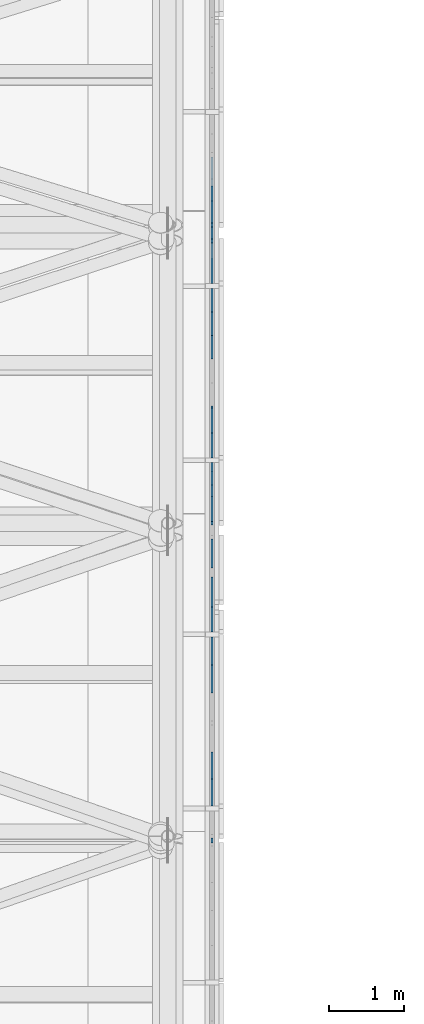
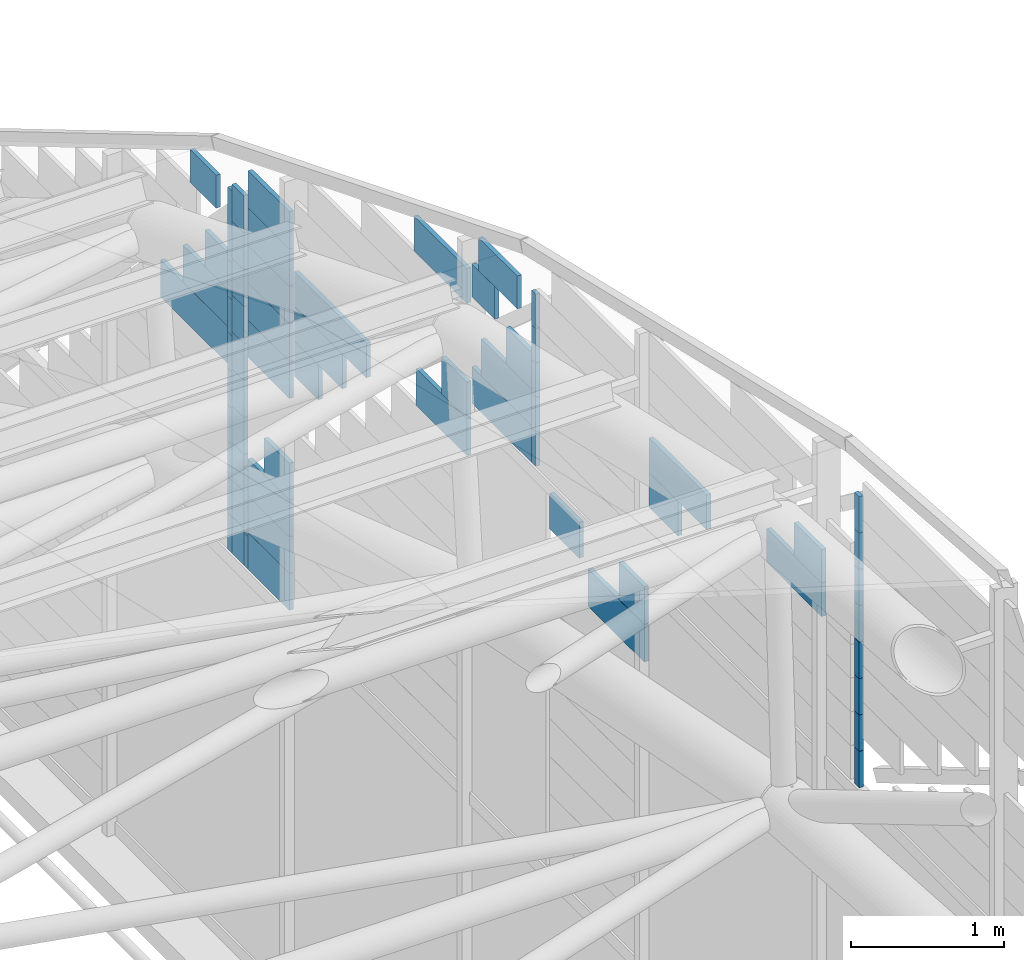
# One storey, part 79 of 110: 67 plates, 1 element without a shape of its own.
"""IFC4 building model written with IfcOpenShell, lengths in metres."""

from ifc_helpers import new_model, si_unit, direction, frame, origin, place, context, subcontext, project, spatial, polyline, outline, extrude, material, layer, layer_set, type_object, element, aggregate, save


model = new_model("IFC4")

# Units and contexts
model_context = context("Model", 3, precision=1e-05, world=origin(), true_north=direction((0.0, 1.0)))
body_context = subcontext(model_context, "Body", "Model", "MODEL_VIEW")
ifc_project = project(units=[si_unit("LENGTHUNIT", "METRE"), si_unit("AREAUNIT", "SQUARE_METRE"), si_unit("VOLUMEUNIT", "CUBIC_METRE"), si_unit("PLANEANGLEUNIT", "RADIAN"), si_unit("MASSUNIT", "GRAM", prefix="KILO")], contexts=[model_context])

# Site, building, storey
site_placement = place(None, origin())
site = spatial("IfcSite", under=ifc_project, at=site_placement, CompositionType="ELEMENT")
building_placement = place(site_placement, origin())
building = spatial("IfcBuilding", under=site, at=building_placement, Name="Windward Yard Aquatics Centre", CompositionType="ELEMENT")
storey_placement = place(building_placement, frame((0.0, 0.0, 22.60009765625)))
storey = spatial("IfcBuildingStorey", under=building, at=storey_placement, Name="L05", CompositionType="ELEMENT", Elevation=22.60009765625)

# Curtain wall, plates
ifc_material_1 = material(Name="Glass and aluminium curtain wall", Category="aluminium")
ifc_layer_1 = layer(ifc_material_1, 0.179931640625)
ifc_layer_set_1 = layer_set([ifc_layer_1], Name="H gable glazing system double glazed 8+16+8")
curtain_wall_type = type_object("IfcCurtainWallType", Name="H gable glazing system double glazed 8+16+8", PredefinedType="NOTDEFINED", material=ifc_layer_set_1)
curtain_wall_placement = place(storey_placement, origin())
curtain_wall = element("IfcCurtainWall", 1, at=curtain_wall_placement, inside=storey, type_object=curtain_wall_type, Name="Gable glazing E", PredefinedType="NOTDEFINED")
ifc_material_2 = material(Name="Low-iron glass", Category="glass")
ifc_layer_2 = layer(ifc_material_2, 0.008, Name="Outer pane")
ifc_material_3 = material(Name="Argon-filled cavity")
ifc_layer_3 = layer(ifc_material_3, 0.016, Name="Cavity")
ifc_layer_4 = layer(ifc_material_2, 0.008, Name="Inner pane")
ifc_layer_set_2 = layer_set([ifc_layer_2, ifc_layer_3, ifc_layer_4], Name="H gable glass low-e double glazed unit 32")
plate_type = type_object("IfcPlateType", Name="H gable glass low-e double glazed unit 32", PredefinedType="CURTAIN_PANEL", material=ifc_layer_set_2)
plate_1_placement = place(storey_placement, frame((144.60595703125, 65.180908203125, 6.25), z_axis=(1.0, 0.0, 0.0), x_axis=(0.0, 1.0, 0.0)))
plate_1 = element("IfcPlate", 2, at=plate_1_placement, type_object=plate_type, Name="Gable panel 11.3h", PredefinedType="CURTAIN_PANEL", context=body_context, shape_type="SweptSolid", body=[
    extrude(outline(polyline([(0.0, 0.0), (0.063721, 0.0), (0.063721, 0.290039), (0.0, 0.290039), (0.0, 0.0)])), origin(), (0.0, 0.0, -1.0), 0.031982421875),
])
plate_2_placement = place(storey_placement, frame((144.60595703125, 65.180908203125, 6.54052734375), z_axis=(1.0, 0.0, 0.0), x_axis=(0.0, 1.0, 0.0)))
plate_2 = element("IfcPlate", 3, at=plate_2_placement, type_object=plate_type, Name="Gable panel 11.3i", PredefinedType="CURTAIN_PANEL", context=body_context, shape_type="SweptSolid", body=[
    extrude(outline(polyline([(0.0, 0.0), (0.063721, 0.0), (0.063721, 0.289795), (0.0, 0.289795), (0.0, 0.0)])), origin(), (0.0, 0.0, -1.0), 0.031982421875),
])
plate_3_placement = place(storey_placement, frame((144.60595703125, 65.180908203125, 6.830810546875), z_axis=(1.0, 0.0, 0.0), x_axis=(0.0, 1.0, 0.0)))
plate_3 = element("IfcPlate", 4, at=plate_3_placement, type_object=plate_type, Name="Gable panel 11.3j", PredefinedType="CURTAIN_PANEL", context=body_context, shape_type="SweptSolid", body=[
    extrude(outline(polyline([(0.0, 0.0), (0.063721, 0.0), (0.063721, 0.289795), (0.0, 0.289795), (0.0, 0.0)])), origin(), (0.0, 0.0, -1.0), 0.031982421875),
])
plate_4_placement = place(storey_placement, frame((144.60595703125, 65.180908203125, 7.12109375), z_axis=(1.0, 0.0, 0.0), x_axis=(0.0, 1.0, 0.0)))
plate_4 = element("IfcPlate", 5, at=plate_4_placement, type_object=plate_type, Name="Gable panel 11.3k", PredefinedType="CURTAIN_PANEL", context=body_context, shape_type="SweptSolid", body=[
    extrude(outline(polyline([(0.0, 0.0), (0.063721, 0.0), (0.063721, 0.289795), (0.0, 0.289795), (0.0, 0.0)])), origin(), (0.0, 0.0, -1.0), 0.031982421875),
])
plate_5_placement = place(storey_placement, frame((144.60595703125, 65.180908203125, 7.411376953125), z_axis=(1.0, 0.0, 0.0), x_axis=(0.0, 1.0, 0.0)))
plate_5 = element("IfcPlate", 6, at=plate_5_placement, type_object=plate_type, Name="Gable panel 11.3l", PredefinedType="CURTAIN_PANEL", context=body_context, shape_type="SweptSolid", body=[
    extrude(outline(polyline([(0.0, 0.0), (0.063721, 0.0), (0.063721, 0.289795), (0.0, 0.289795), (0.0, 0.0)])), origin(), (0.0, 0.0, -1.0), 0.031982421875),
])
plate_6_placement = place(storey_placement, frame((144.60595703125, 65.180908203125, 7.70166015625), z_axis=(1.0, 0.0, 0.0), x_axis=(0.0, 1.0, 0.0)))
plate_6 = element("IfcPlate", 7, at=plate_6_placement, type_object=plate_type, Name="Gable panel 11.3m", PredefinedType="CURTAIN_PANEL", context=body_context, shape_type="SweptSolid", body=[
    extrude(outline(polyline([(0.0, 0.0), (0.063721, 0.0), (0.063721, 0.289795), (0.0, 0.289795), (0.0, 0.0)])), origin(), (0.0, 0.0, -1.0), 0.031982421875),
])
plate_7_placement = place(storey_placement, frame((144.60595703125, 65.180908203125, 7.991943359375), z_axis=(1.0, 0.0, 0.0), x_axis=(0.0, 1.0, 0.0)))
plate_7 = element("IfcPlate", 8, at=plate_7_placement, type_object=plate_type, Name="Gable panel 11.3n", PredefinedType="CURTAIN_PANEL", context=body_context, shape_type="SweptSolid", body=[
    extrude(outline(polyline([(0.0, 0.0), (0.063721, 0.0), (0.063721, 0.289795), (0.0, 0.289795), (0.0, 0.0)])), origin(), (0.0, 0.0, -1.0), 0.031982421875),
])
plate_8_placement = place(storey_placement, frame((144.60595703125, 65.180908203125, 8.2822265625), z_axis=(1.0, 0.0, 0.0), x_axis=(0.0, 1.0, 0.0)))
plate_8 = element("IfcPlate", 9, at=plate_8_placement, type_object=plate_type, Name="Gable panel 11.3o", PredefinedType="CURTAIN_PANEL", context=body_context, shape_type="SweptSolid", body=[
    extrude(outline(polyline([(0.0, 0.0), (0.063721, 0.0), (0.063721, 0.290039), (0.0, 0.290039), (0.0, 0.0)])), origin(), (0.0, 0.0, -1.0), 0.031982421875),
])
plate_9_placement = place(storey_placement, frame((144.60595703125, 65.6708984375, 7.319091796875), z_axis=(1.0, 0.0, 0.0), x_axis=(0.0, 1.0, 0.0)))
plate_9 = element("IfcPlate", 10, at=plate_9_placement, type_object=plate_type, Name="Gable panel 12.3e", PredefinedType="CURTAIN_PANEL", context=body_context, shape_type="SweptSolid", body=[
    extrude(outline(polyline([(0.0, 0.0), (0.718994, 0.0), (0.718994, 0.266846), (0.0, 0.266846), (0.0, 0.0)])), origin(), (0.0, 0.0, -1.0), 0.031982421875),
])
plate_10_placement = place(storey_placement, frame((144.60595703125, 65.6708984375, 7.58642578125), z_axis=(1.0, 0.0, 0.0), x_axis=(0.0, 1.0, 0.0)))
plate_10 = element("IfcPlate", 11, at=plate_10_placement, type_object=plate_type, Name="Gable panel 12.3f", PredefinedType="CURTAIN_PANEL", context=body_context, shape_type="SweptSolid", body=[
    extrude(outline(polyline([(0.0, 0.0), (0.359619, 0.0), (0.359619, 0.266846), (0.0, 0.266846), (0.0, 0.0)])), origin(), (0.0, 0.0, -1.0), 0.031982421875),
])
plate_11_placement = place(storey_placement, frame((144.60595703125, 67.550537109375, 6.822509765625), z_axis=(1.0, 0.0, 0.0), x_axis=(0.0, 1.0, 0.0)))
plate_11 = element("IfcPlate", 12, at=plate_11_placement, type_object=plate_type, Name="Gable panel 12.3g", PredefinedType="CURTAIN_PANEL", context=body_context, shape_type="SweptSolid", body=[
    extrude(outline(polyline([(0.0, 0.0), (0.374756, 0.0), (0.374756, 0.277832), (0.0, 0.277832), (0.0, 0.0)])), origin(), (0.0, 0.0, -1.0), 0.031982421875),
])
plate_12_placement = place(storey_placement, frame((144.60595703125, 67.17626953125, 7.100830078125), z_axis=(1.0, 0.0, 0.0), x_axis=(0.0, 1.0, 0.0)))
plate_12 = element("IfcPlate", 13, at=plate_12_placement, type_object=plate_type, Name="Gable panel 12.3h", PredefinedType="CURTAIN_PANEL", context=body_context, shape_type="SweptSolid", body=[
    extrude(outline(polyline([(0.0, 0.0), (0.749023, 0.0), (0.749023, 0.278076), (0.0, 0.278076), (0.0, 0.0)])), origin(), (0.0, 0.0, -1.0), 0.031982421875),
])
plate_13_placement = place(storey_placement, frame((144.60595703125, 67.990234375, 5.550048828125), z_axis=(1.0, 0.0, 0.0), x_axis=(0.0, 1.0, 0.0)))
plate_13 = element("IfcPlate", 14, at=plate_13_placement, type_object=plate_type, Name="Gable panel 13.2j", PredefinedType="CURTAIN_PANEL", context=body_context, shape_type="SweptSolid", body=[
    extrude(outline(polyline([(0.0, 0.0), (0.734131, 0.0), (0.734131, 0.299561), (0.0, 0.299561), (0.0, 0.0)])), origin(), (0.0, 0.0, -1.0), 0.031982421875),
])
plate_14_placement = place(storey_placement, frame((144.60595703125, 67.990234375, 5.85009765625), z_axis=(1.0, 0.0, 0.0), x_axis=(0.0, 1.0, 0.0)))
plate_14 = element("IfcPlate", 15, at=plate_14_placement, type_object=plate_type, Name="Gable panel 13.2k", PredefinedType="CURTAIN_PANEL", context=body_context, shape_type="SweptSolid", body=[
    extrude(outline(polyline([(0.0, 0.0), (0.330566, 0.0), (0.330566, 0.299805), (0.0, 0.299805), (0.0, 0.0)])), origin(), (0.0, 0.0, -1.0), 0.031982421875),
])
plate_15_placement = place(storey_placement, frame((144.60595703125, 68.840087890625, 5.86328125), z_axis=(1.0, 0.0, 0.0), x_axis=(0.0, 1.0, 0.0)))
plate_15 = element("IfcPlate", 16, at=plate_15_placement, type_object=plate_type, Name="Gable panel 13.2l", PredefinedType="CURTAIN_PANEL", context=body_context, shape_type="SweptSolid", body=[
    extrude(outline(polyline([(0.0, 0.0), (0.385742, 0.0), (0.385742, 0.286621), (0.0, 0.286621), (0.0, 0.0)])), origin(), (0.0, 0.0, -1.0), 0.031982421875),
])
plate_16_placement = place(storey_placement, frame((144.60595703125, 69.4638671875, 6.25), z_axis=(1.0, 0.0, 0.0), x_axis=(0.0, 1.0, 0.0)))
plate_16 = element("IfcPlate", 17, at=plate_16_placement, type_object=plate_type, Name="Gable panel 13.3a", PredefinedType="CURTAIN_PANEL", context=body_context, shape_type="SweptSolid", body=[
    extrude(outline(polyline([(0.0, 0.0), (0.780518, 0.0), (0.780518, 0.292236), (0.0, 0.292236), (0.0, 0.0)])), origin(), (0.0, 0.0, -1.0), 0.031982421875),
])
plate_17_placement = place(storey_placement, frame((144.60595703125, 69.4638671875, 6.542724609375), z_axis=(1.0, 0.0, 0.0), x_axis=(0.0, 1.0, 0.0)))
plate_17 = element("IfcPlate", 18, at=plate_17_placement, type_object=plate_type, Name="Gable panel 13.3b", PredefinedType="CURTAIN_PANEL", context=body_context, shape_type="SweptSolid", body=[
    extrude(outline(polyline([(0.0, 0.0), (0.660889, 0.0), (0.660889, 0.291992), (0.0, 0.291992), (0.0, 0.0)])), origin(), (0.0, 0.0, -1.0), 0.031982421875),
])
plate_18_placement = place(storey_placement, frame((144.60595703125, 69.4638671875, 6.835205078125), z_axis=(1.0, 0.0, 0.0), x_axis=(0.0, 1.0, 0.0)))
plate_18 = element("IfcPlate", 19, at=plate_18_placement, type_object=plate_type, Name="Gable panel 13.3c", PredefinedType="CURTAIN_PANEL", context=body_context, shape_type="SweptSolid", body=[
    extrude(outline(polyline([(0.0, 0.0), (0.330566, 0.0), (0.330566, 0.291992), (0.0, 0.291992), (0.0, 0.0)])), origin(), (0.0, 0.0, -1.0), 0.031982421875),
])
plate_19_placement = place(storey_placement, frame((144.60595703125, 69.410888671875, 6.25), z_axis=(1.0, 0.0, 0.0), x_axis=(0.0, 1.0, 0.0)))
plate_19 = element("IfcPlate", 20, at=plate_19_placement, type_object=plate_type, Name="Gable panel 13.3d", PredefinedType="CURTAIN_PANEL", context=body_context, shape_type="SweptSolid", body=[
    extrude(outline(polyline([(0.0, 0.0), (0.052979, 0.0), (0.052979, 0.274414), (0.0, 0.274414), (0.0, 0.0)])), origin(), (0.0, 0.0, -1.0), 0.031982421875),
])
plate_20_placement = place(storey_placement, frame((144.60595703125, 69.410888671875, 6.52490234375), z_axis=(1.0, 0.0, 0.0), x_axis=(0.0, 1.0, 0.0)))
plate_20 = element("IfcPlate", 21, at=plate_20_placement, type_object=plate_type, Name="Gable panel 13.3e", PredefinedType="CURTAIN_PANEL", context=body_context, shape_type="SweptSolid", body=[
    extrude(outline(polyline([(0.0, 0.0), (0.052979, 0.0), (0.052979, 0.274414), (0.0, 0.274414), (0.0, 0.0)])), origin(), (0.0, 0.0, -1.0), 0.031982421875),
])
plate_21_placement = place(storey_placement, frame((144.60595703125, 69.410888671875, 6.799560546875), z_axis=(1.0, 0.0, 0.0), x_axis=(0.0, 1.0, 0.0)))
plate_21 = element("IfcPlate", 22, at=plate_21_placement, type_object=plate_type, Name="Gable panel 13.3f", PredefinedType="CURTAIN_PANEL", context=body_context, shape_type="SweptSolid", body=[
    extrude(outline(polyline([(0.0, 0.0), (0.052979, 0.0), (0.052979, 0.274414), (0.0, 0.274414), (0.0, 0.0)])), origin(), (0.0, 0.0, -1.0), 0.031982421875),
])
plate_22_placement = place(storey_placement, frame((144.60595703125, 69.410888671875, 7.074462890625), z_axis=(1.0, 0.0, 0.0), x_axis=(0.0, 1.0, 0.0)))
plate_22 = element("IfcPlate", 23, at=plate_22_placement, type_object=plate_type, Name="Gable panel 13.3g", PredefinedType="CURTAIN_PANEL", context=body_context, shape_type="SweptSolid", body=[
    extrude(outline(polyline([(0.0, 0.0), (0.052979, 0.0), (0.052979, 0.27417), (0.0, 0.27417), (0.0, 0.0)])), origin(), (0.0, 0.0, -1.0), 0.031982421875),
])
plate_23_placement = place(storey_placement, frame((144.60595703125, 69.410888671875, 7.34912109375), z_axis=(1.0, 0.0, 0.0), x_axis=(0.0, 1.0, 0.0)))
plate_23 = element("IfcPlate", 24, at=plate_23_placement, type_object=plate_type, Name="Gable panel 13.3h", PredefinedType="CURTAIN_PANEL", context=body_context, shape_type="SweptSolid", body=[
    extrude(outline(polyline([(0.0, 0.0), (0.052979, 0.0), (0.052979, 0.274414), (0.0, 0.274414), (0.0, 0.0)])), origin(), (0.0, 0.0, -1.0), 0.031982421875),
])
plate_24_placement = place(storey_placement, frame((144.60595703125, 69.94775390625, 7.098388671875), z_axis=(1.0, 0.0, 0.0), x_axis=(0.0, 1.0, 0.0)))
plate_24 = element("IfcPlate", 25, at=plate_24_placement, type_object=plate_type, Name="Gable panel 13.3i", PredefinedType="CURTAIN_PANEL", context=body_context, shape_type="SweptSolid", body=[
    extrude(outline(polyline([(0.0, 0.0), (0.296631, 0.0), (0.296631, 0.262207), (0.0, 0.262207), (0.0, 0.0)])), origin(), (0.0, 0.0, -1.0), 0.031982421875),
])
plate_25_placement = place(storey_placement, frame((144.60595703125, 69.651123046875, 7.36083984375), z_axis=(1.0, 0.0, 0.0), x_axis=(0.0, 1.0, 0.0)))
plate_25 = element("IfcPlate", 26, at=plate_25_placement, type_object=plate_type, Name="Gable panel 13.3j", PredefinedType="CURTAIN_PANEL", context=body_context, shape_type="SweptSolid", body=[
    extrude(outline(polyline([(0.0, 0.0), (0.504395, 0.0), (0.504395, 0.262451), (0.0, 0.262451), (0.0, 0.0)])), origin(), (0.0, 0.0, -1.0), 0.031982421875),
])
plate_26_placement = place(storey_placement, frame((144.60595703125, 70.309326171875, 5.791015625), z_axis=(1.0, 0.0, 0.0), x_axis=(0.0, 1.0, 0.0)))
plate_26 = element("IfcPlate", 27, at=plate_26_placement, type_object=plate_type, Name="Gable panel 14.2j", PredefinedType="CURTAIN_PANEL", context=body_context, shape_type="SweptSolid", body=[
    extrude(outline(polyline([(0.0, 0.0), (0.662842, 0.0), (0.662842, 0.292969), (0.0, 0.292969), (0.0, 0.0)])), origin(), (0.0, 0.0, -1.0), 0.031982421875),
])
plate_27_placement = place(storey_placement, frame((144.60595703125, 70.309326171875, 6.08447265625), z_axis=(1.0, 0.0, 0.0), x_axis=(0.0, 1.0, 0.0)))
plate_27 = element("IfcPlate", 28, at=plate_27_placement, type_object=plate_type, Name="Gable panel 14.2k", PredefinedType="CURTAIN_PANEL", context=body_context, shape_type="SweptSolid", body=[
    extrude(outline(polyline([(0.0, 0.0), (0.331543, 0.0), (0.331543, 0.292969), (0.0, 0.292969), (0.0, 0.0)])), origin(), (0.0, 0.0, -1.0), 0.031982421875),
])
plate_28_placement = place(storey_placement, frame((144.60595703125, 72.24951171875, 5.059326171875), z_axis=(1.0, 0.0, 0.0), x_axis=(0.0, 1.0, 0.0)))
plate_28 = element("IfcPlate", 29, at=plate_28_placement, type_object=plate_type, Name="Gable panel 14.2l", PredefinedType="CURTAIN_PANEL", context=body_context, shape_type="SweptSolid", body=[
    extrude(outline(polyline([(0.0, 0.0), (0.314209, 0.0), (0.314209, 0.277588), (0.0, 0.277588), (0.0, 0.0)])), origin(), (0.0, 0.0, -1.0), 0.031982421875),
])
plate_29_placement = place(storey_placement, frame((144.60595703125, 71.935791015625, 5.33740234375), z_axis=(1.0, 0.0, 0.0), x_axis=(0.0, 1.0, 0.0)))
plate_29 = element("IfcPlate", 30, at=plate_29_placement, type_object=plate_type, Name="Gable panel 14.2m", PredefinedType="CURTAIN_PANEL", context=body_context, shape_type="SweptSolid", body=[
    extrude(outline(polyline([(0.0, 0.0), (0.62793, 0.0), (0.62793, 0.277588), (0.0, 0.277588), (0.0, 0.0)])), origin(), (0.0, 0.0, -1.0), 0.031982421875),
])
plate_30_placement = place(storey_placement, frame((144.60595703125, 71.621826171875, 5.615478515625), z_axis=(1.0, 0.0, 0.0), x_axis=(0.0, 1.0, 0.0)))
plate_30 = element("IfcPlate", 31, at=plate_30_placement, type_object=plate_type, Name="Gable panel 14.2n", PredefinedType="CURTAIN_PANEL", context=body_context, shape_type="SweptSolid", body=[
    extrude(outline(polyline([(0.0, 0.0), (0.941895, 0.0), (0.941895, 0.277588), (0.0, 0.277588), (0.0, 0.0)])), origin(), (0.0, 0.0, -1.0), 0.031982421875),
])
plate_31_placement = place(storey_placement, frame((144.60595703125, 70.309326171875, 7.005615234375), z_axis=(1.0, 0.0, 0.0), x_axis=(0.0, 1.0, 0.0)))
plate_31 = element("IfcPlate", 32, at=plate_31_placement, type_object=plate_type, Name="Gable panel 14.2s", PredefinedType="CURTAIN_PANEL", context=body_context, shape_type="SweptSolid", body=[
    extrude(outline(polyline([(0.0, 0.0), (0.692383, 0.0), (0.692383, 0.277588), (0.0, 0.277588), (0.0, 0.0)])), origin(), (0.0, 0.0, -1.0), 0.031982421875),
])
plate_32_placement = place(storey_placement, frame((144.60595703125, 73.438232421875, 4.63037109375), z_axis=(1.0, 0.0, 0.0), x_axis=(0.0, 1.0, 0.0)))
plate_32 = element("IfcPlate", 33, at=plate_32_placement, type_object=plate_type, Name="Gable panel 15.2f", PredefinedType="CURTAIN_PANEL", context=body_context, shape_type="SweptSolid", body=[
    extrude(outline(polyline([(0.0, 0.0), (0.874756, 0.0), (0.874756, 0.295654), (0.0, 0.295654), (0.0, 0.0)])), origin(), (0.0, 0.0, -1.0), 0.031982421875),
])
plate_33_placement = place(storey_placement, frame((144.60595703125, 73.438232421875, 4.926513671875), z_axis=(1.0, 0.0, 0.0), x_axis=(0.0, 1.0, 0.0)))
plate_33 = element("IfcPlate", 34, at=plate_33_placement, type_object=plate_type, Name="Gable panel 15.2g", PredefinedType="CURTAIN_PANEL", context=body_context, shape_type="SweptSolid", body=[
    extrude(outline(polyline([(0.0, 0.0), (0.583252, 0.0), (0.583252, 0.295654), (0.0, 0.295654), (0.0, 0.0)])), origin(), (0.0, 0.0, -1.0), 0.031982421875),
])
plate_34_placement = place(storey_placement, frame((144.60595703125, 73.438232421875, 5.22265625), z_axis=(1.0, 0.0, 0.0), x_axis=(0.0, 1.0, 0.0)))
plate_34 = element("IfcPlate", 35, at=plate_34_placement, type_object=plate_type, Name="Gable panel 15.2h", PredefinedType="CURTAIN_PANEL", context=body_context, shape_type="SweptSolid", body=[
    extrude(outline(polyline([(0.0, 0.0), (0.291748, 0.0), (0.291748, 0.295654), (0.0, 0.295654), (0.0, 0.0)])), origin(), (0.0, 0.0, -1.0), 0.031982421875),
])
plate_35_placement = place(storey_placement, frame((144.60595703125, 73.381103515625, 3.14990234375), z_axis=(1.0, 0.0, 0.0), x_axis=(0.0, 1.0, 0.0)))
plate_35 = element("IfcPlate", 36, at=plate_35_placement, type_object=plate_type, Name="Gable panel 15.2i", PredefinedType="CURTAIN_PANEL", context=body_context, shape_type="SweptSolid", body=[
    extrude(outline(polyline([(0.0, 0.0), (0.057129, 0.0), (0.057129, 0.288574), (0.0, 0.288574), (0.0, 0.0)])), origin(), (0.0, 0.0, -1.0), 0.031982421875),
])
plate_36_placement = place(storey_placement, frame((144.60595703125, 73.381103515625, 3.43896484375), z_axis=(1.0, 0.0, 0.0), x_axis=(0.0, 1.0, 0.0)))
plate_36 = element("IfcPlate", 37, at=plate_36_placement, type_object=plate_type, Name="Gable panel 15.2j", PredefinedType="CURTAIN_PANEL", context=body_context, shape_type="SweptSolid", body=[
    extrude(outline(polyline([(0.0, 0.0), (0.057129, 0.0), (0.057129, 0.28833), (0.0, 0.28833), (0.0, 0.0)])), origin(), (0.0, 0.0, -1.0), 0.031982421875),
])
plate_37_placement = place(storey_placement, frame((144.60595703125, 73.381103515625, 3.727783203125), z_axis=(1.0, 0.0, 0.0), x_axis=(0.0, 1.0, 0.0)))
plate_37 = element("IfcPlate", 38, at=plate_37_placement, type_object=plate_type, Name="Gable panel 15.2k", PredefinedType="CURTAIN_PANEL", context=body_context, shape_type="SweptSolid", body=[
    extrude(outline(polyline([(0.0, 0.0), (0.057129, 0.0), (0.057129, 0.28833), (0.0, 0.28833), (0.0, 0.0)])), origin(), (0.0, 0.0, -1.0), 0.031982421875),
])
plate_38_placement = place(storey_placement, frame((144.60595703125, 73.381103515625, 4.0166015625), z_axis=(1.0, 0.0, 0.0), x_axis=(0.0, 1.0, 0.0)))
plate_38 = element("IfcPlate", 39, at=plate_38_placement, type_object=plate_type, Name="Gable panel 15.2l", PredefinedType="CURTAIN_PANEL", context=body_context, shape_type="SweptSolid", body=[
    extrude(outline(polyline([(0.0, 0.0), (0.057129, 0.0), (0.057129, 0.28833), (0.0, 0.28833), (0.0, 0.0)])), origin(), (0.0, 0.0, -1.0), 0.031982421875),
])
plate_39_placement = place(storey_placement, frame((144.60595703125, 73.381103515625, 4.305419921875), z_axis=(1.0, 0.0, 0.0), x_axis=(0.0, 1.0, 0.0)))
plate_39 = element("IfcPlate", 40, at=plate_39_placement, type_object=plate_type, Name="Gable panel 15.2m", PredefinedType="CURTAIN_PANEL", context=body_context, shape_type="SweptSolid", body=[
    extrude(outline(polyline([(0.0, 0.0), (0.057129, 0.0), (0.057129, 0.28833), (0.0, 0.28833), (0.0, 0.0)])), origin(), (0.0, 0.0, -1.0), 0.031982421875),
])
plate_40_placement = place(storey_placement, frame((144.60595703125, 73.381103515625, 4.59423828125), z_axis=(1.0, 0.0, 0.0), x_axis=(0.0, 1.0, 0.0)))
plate_40 = element("IfcPlate", 41, at=plate_40_placement, type_object=plate_type, Name="Gable panel 15.2n", PredefinedType="CURTAIN_PANEL", context=body_context, shape_type="SweptSolid", body=[
    extrude(outline(polyline([(0.0, 0.0), (0.057129, 0.0), (0.057129, 0.28833), (0.0, 0.28833), (0.0, 0.0)])), origin(), (0.0, 0.0, -1.0), 0.031982421875),
])
plate_41_placement = place(storey_placement, frame((144.60595703125, 73.381103515625, 4.883056640625), z_axis=(1.0, 0.0, 0.0), x_axis=(0.0, 1.0, 0.0)))
plate_41 = element("IfcPlate", 42, at=plate_41_placement, type_object=plate_type, Name="Gable panel 15.2o", PredefinedType="CURTAIN_PANEL", context=body_context, shape_type="SweptSolid", body=[
    extrude(outline(polyline([(0.0, 0.0), (0.057129, 0.0), (0.057129, 0.28833), (0.0, 0.28833), (0.0, 0.0)])), origin(), (0.0, 0.0, -1.0), 0.031982421875),
])
plate_42_placement = place(storey_placement, frame((144.60595703125, 73.381103515625, 5.171875), z_axis=(1.0, 0.0, 0.0), x_axis=(0.0, 1.0, 0.0)))
plate_42 = element("IfcPlate", 43, at=plate_42_placement, type_object=plate_type, Name="Gable panel 15.2p", PredefinedType="CURTAIN_PANEL", context=body_context, shape_type="SweptSolid", body=[
    extrude(outline(polyline([(0.0, 0.0), (0.057129, 0.0), (0.057129, 0.28833), (0.0, 0.28833), (0.0, 0.0)])), origin(), (0.0, 0.0, -1.0), 0.031982421875),
])
plate_43_placement = place(storey_placement, frame((144.60595703125, 73.381103515625, 5.460693359375), z_axis=(1.0, 0.0, 0.0), x_axis=(0.0, 1.0, 0.0)))
plate_43 = element("IfcPlate", 44, at=plate_43_placement, type_object=plate_type, Name="Gable panel 15.2q", PredefinedType="CURTAIN_PANEL", context=body_context, shape_type="SweptSolid", body=[
    extrude(outline(polyline([(0.0, 0.0), (0.057129, 0.0), (0.057129, 0.28833), (0.0, 0.28833), (0.0, 0.0)])), origin(), (0.0, 0.0, -1.0), 0.031982421875),
])
plate_44_placement = place(storey_placement, frame((144.60595703125, 73.381103515625, 5.74951171875), z_axis=(1.0, 0.0, 0.0), x_axis=(0.0, 1.0, 0.0)))
plate_44 = element("IfcPlate", 45, at=plate_44_placement, type_object=plate_type, Name="Gable panel 15.2r", PredefinedType="CURTAIN_PANEL", context=body_context, shape_type="SweptSolid", body=[
    extrude(outline(polyline([(0.0, 0.0), (0.057129, 0.0), (0.057129, 0.28833), (0.0, 0.28833), (0.0, 0.0)])), origin(), (0.0, 0.0, -1.0), 0.031982421875),
])
plate_45_placement = place(storey_placement, frame((144.60595703125, 73.586669921875, 5.777587890625), z_axis=(1.0, 0.0, 0.0), x_axis=(0.0, 1.0, 0.0)))
plate_45 = element("IfcPlate", 46, at=plate_45_placement, type_object=plate_type, Name="Gable panel 15.2w", PredefinedType="CURTAIN_PANEL", context=body_context, shape_type="SweptSolid", body=[
    extrude(outline(polyline([(0.0, 0.0), (0.341797, 0.0), (0.341797, 0.262939), (0.0, 0.262939), (0.0, 0.0)])), origin(), (0.0, 0.0, -1.0), 0.031982421875),
])
plate_46_placement = place(storey_placement, frame((144.60595703125, 73.2236328125, 3.14990234375), z_axis=(1.0, 0.0, 0.0), x_axis=(0.0, 1.0, 0.0)))
plate_46 = element("IfcPlate", 47, at=plate_46_placement, type_object=plate_type, Name="Gable panel 15.2x", PredefinedType="CURTAIN_PANEL", context=body_context, shape_type="SweptSolid", body=[
    extrude(outline(polyline([(0.0, 0.0), (0.157471, 0.0), (0.157471, 0.294434), (0.0, 0.294434), (0.0, 0.0)])), origin(), (0.0, 0.0, -1.0), 0.031982421875),
])
plate_47_placement = place(storey_placement, frame((144.60595703125, 73.2236328125, 3.444580078125), z_axis=(1.0, 0.0, 0.0), x_axis=(0.0, 1.0, 0.0)))
plate_47 = element("IfcPlate", 48, at=plate_47_placement, type_object=plate_type, Name="Gable panel 15.2y", PredefinedType="CURTAIN_PANEL", context=body_context, shape_type="SweptSolid", body=[
    extrude(outline(polyline([(0.0, 0.0), (0.157471, 0.0), (0.157471, 0.294189), (0.0, 0.294189), (0.0, 0.0)])), origin(), (0.0, 0.0, -1.0), 0.031982421875),
])
plate_48_placement = place(storey_placement, frame((144.60595703125, 73.2236328125, 3.7392578125), z_axis=(1.0, 0.0, 0.0), x_axis=(0.0, 1.0, 0.0)))
plate_48 = element("IfcPlate", 49, at=plate_48_placement, type_object=plate_type, Name="Gable panel 15.2z", PredefinedType="CURTAIN_PANEL", context=body_context, shape_type="SweptSolid", body=[
    extrude(outline(polyline([(0.0, 0.0), (0.157471, 0.0), (0.157471, 0.294189), (0.0, 0.294189), (0.0, 0.0)])), origin(), (0.0, 0.0, -1.0), 0.031982421875),
])
plate_49_placement = place(storey_placement, frame((144.60595703125, 73.2236328125, 4.03369140625), z_axis=(1.0, 0.0, 0.0), x_axis=(0.0, 1.0, 0.0)))
plate_49 = element("IfcPlate", 50, at=plate_49_placement, type_object=plate_type, Name="Gable panel 15.2aa", PredefinedType="CURTAIN_PANEL", context=body_context, shape_type="SweptSolid", body=[
    extrude(outline(polyline([(0.0, 0.0), (0.157471, 0.0), (0.157471, 0.294189), (0.0, 0.294189), (0.0, 0.0)])), origin(), (0.0, 0.0, -1.0), 0.031982421875),
])
plate_50_placement = place(storey_placement, frame((144.60595703125, 73.2236328125, 4.328369140625), z_axis=(1.0, 0.0, 0.0), x_axis=(0.0, 1.0, 0.0)))
plate_50 = element("IfcPlate", 51, at=plate_50_placement, type_object=plate_type, Name="Gable panel 15.2ab", PredefinedType="CURTAIN_PANEL", context=body_context, shape_type="SweptSolid", body=[
    extrude(outline(polyline([(0.0, 0.0), (0.157471, 0.0), (0.157471, 0.294189), (0.0, 0.294189), (0.0, 0.0)])), origin(), (0.0, 0.0, -1.0), 0.031982421875),
])
plate_51_placement = place(storey_placement, frame((144.60595703125, 73.2236328125, 4.622802734375), z_axis=(1.0, 0.0, 0.0), x_axis=(0.0, 1.0, 0.0)))
plate_51 = element("IfcPlate", 52, at=plate_51_placement, type_object=plate_type, Name="Gable panel 15.2ac", PredefinedType="CURTAIN_PANEL", context=body_context, shape_type="SweptSolid", body=[
    extrude(outline(polyline([(0.0, 0.0), (0.157471, 0.0), (0.157471, 0.294189), (0.0, 0.294189), (0.0, 0.0)])), origin(), (0.0, 0.0, -1.0), 0.031982421875),
])
plate_52_placement = place(storey_placement, frame((144.60595703125, 73.2236328125, 4.91748046875), z_axis=(1.0, 0.0, 0.0), x_axis=(0.0, 1.0, 0.0)))
plate_52 = element("IfcPlate", 53, at=plate_52_placement, type_object=plate_type, Name="Gable panel 15.2ad", PredefinedType="CURTAIN_PANEL", context=body_context, shape_type="SweptSolid", body=[
    extrude(outline(polyline([(0.0, 0.0), (0.157471, 0.0), (0.157471, 0.294189), (0.0, 0.294189), (0.0, 0.0)])), origin(), (0.0, 0.0, -1.0), 0.031982421875),
])
plate_53_placement = place(storey_placement, frame((144.60595703125, 73.2236328125, 5.212158203125), z_axis=(1.0, 0.0, 0.0), x_axis=(0.0, 1.0, 0.0)))
plate_53 = element("IfcPlate", 54, at=plate_53_placement, type_object=plate_type, Name="Gable panel 15.2ae", PredefinedType="CURTAIN_PANEL", context=body_context, shape_type="SweptSolid", body=[
    extrude(outline(polyline([(0.0, 0.0), (0.157471, 0.0), (0.157471, 0.293945), (0.0, 0.293945), (0.0, 0.0)])), origin(), (0.0, 0.0, -1.0), 0.031982421875),
])
plate_54_placement = place(storey_placement, frame((144.60595703125, 73.2236328125, 5.506591796875), z_axis=(1.0, 0.0, 0.0), x_axis=(0.0, 1.0, 0.0)))
plate_54 = element("IfcPlate", 55, at=plate_54_placement, type_object=plate_type, Name="Gable panel 15.2af", PredefinedType="CURTAIN_PANEL", context=body_context, shape_type="SweptSolid", body=[
    extrude(outline(polyline([(0.0, 0.0), (0.157471, 0.0), (0.157471, 0.294189), (0.0, 0.294189), (0.0, 0.0)])), origin(), (0.0, 0.0, -1.0), 0.031982421875),
])
plate_55_placement = place(storey_placement, frame((144.60595703125, 73.2236328125, 5.80126953125), z_axis=(1.0, 0.0, 0.0), x_axis=(0.0, 1.0, 0.0)))
plate_55 = element("IfcPlate", 56, at=plate_55_placement, type_object=plate_type, Name="Gable panel 15.2ag", PredefinedType="CURTAIN_PANEL", context=body_context, shape_type="SweptSolid", body=[
    extrude(outline(polyline([(0.0, 0.0), (0.157471, 0.0), (0.157471, 0.293945), (0.0, 0.293945), (0.0, 0.0)])), origin(), (0.0, 0.0, -1.0), 0.031982421875),
])
plate_56_placement = place(storey_placement, frame((144.60595703125, 73.170654296875, 3.14990234375), z_axis=(1.0, 0.0, 0.0), x_axis=(0.0, 1.0, 0.0)))
plate_56 = element("IfcPlate", 57, at=plate_56_placement, type_object=plate_type, Name="Gable panel 15.2ah", PredefinedType="CURTAIN_PANEL", context=body_context, shape_type="SweptSolid", body=[
    extrude(outline(polyline([(0.0, 0.0), (0.052979, 0.0), (0.052979, 0.261475), (0.0, 0.261475), (0.0, 0.0)])), origin(), (0.0, 0.0, -1.0), 0.031982421875),
])
plate_57_placement = place(storey_placement, frame((144.60595703125, 73.170654296875, 3.41162109375), z_axis=(1.0, 0.0, 0.0), x_axis=(0.0, 1.0, 0.0)))
plate_57 = element("IfcPlate", 58, at=plate_57_placement, type_object=plate_type, Name="Gable panel 15.2ai", PredefinedType="CURTAIN_PANEL", context=body_context, shape_type="SweptSolid", body=[
    extrude(outline(polyline([(0.0, 0.0), (0.052979, 0.0), (0.052979, 0.261475), (0.0, 0.261475), (0.0, 0.0)])), origin(), (0.0, 0.0, -1.0), 0.031982421875),
])
plate_58_placement = place(storey_placement, frame((144.60595703125, 73.170654296875, 3.67333984375), z_axis=(1.0, 0.0, 0.0), x_axis=(0.0, 1.0, 0.0)))
plate_58 = element("IfcPlate", 59, at=plate_58_placement, type_object=plate_type, Name="Gable panel 15.2aj", PredefinedType="CURTAIN_PANEL", context=body_context, shape_type="SweptSolid", body=[
    extrude(outline(polyline([(0.0, 0.0), (0.052979, 0.0), (0.052979, 0.26123), (0.0, 0.26123), (0.0, 0.0)])), origin(), (0.0, 0.0, -1.0), 0.031982421875),
])
plate_59_placement = place(storey_placement, frame((144.60595703125, 72.628662109375, 3.14990234375), z_axis=(1.0, 0.0, 0.0), x_axis=(0.0, 1.0, 0.0)))
plate_59 = element("IfcPlate", 60, at=plate_59_placement, type_object=plate_type, Name="Gable panel 15.2aq", PredefinedType="CURTAIN_PANEL", context=body_context, shape_type="SweptSolid", body=[
    extrude(outline(polyline([(0.0, 0.0), (0.541992, 0.0), (0.541992, 0.293213), (0.0, 0.293213), (0.0, 0.0)])), origin(), (0.0, 0.0, -1.0), 0.031982421875),
])
plate_60_placement = place(storey_placement, frame((144.60595703125, 72.628662109375, 3.443359375), z_axis=(1.0, 0.0, 0.0), x_axis=(0.0, 1.0, 0.0)))
plate_60 = element("IfcPlate", 61, at=plate_60_placement, type_object=plate_type, Name="Gable panel 15.2ar", PredefinedType="CURTAIN_PANEL", context=body_context, shape_type="SweptSolid", body=[
    extrude(outline(polyline([(0.0, 0.0), (0.541992, 0.0), (0.541992, 0.292969), (0.0, 0.292969), (0.0, 0.0)])), origin(), (0.0, 0.0, -1.0), 0.031982421875),
])
plate_61_placement = place(storey_placement, frame((144.60595703125, 72.628662109375, 3.73681640625), z_axis=(1.0, 0.0, 0.0), x_axis=(0.0, 1.0, 0.0)))
plate_61 = element("IfcPlate", 62, at=plate_61_placement, type_object=plate_type, Name="Gable panel 15.2as", PredefinedType="CURTAIN_PANEL", context=body_context, shape_type="SweptSolid", body=[
    extrude(outline(polyline([(0.0, 0.0), (0.541992, 0.0), (0.541992, 0.292969), (0.0, 0.292969), (0.0, 0.0)])), origin(), (0.0, 0.0, -1.0), 0.031982421875),
])
plate_62_placement = place(storey_placement, frame((144.60595703125, 72.628662109375, 4.0302734375), z_axis=(1.0, 0.0, 0.0), x_axis=(0.0, 1.0, 0.0)))
plate_62 = element("IfcPlate", 63, at=plate_62_placement, type_object=plate_type, Name="Gable panel 15.2at", PredefinedType="CURTAIN_PANEL", context=body_context, shape_type="SweptSolid", body=[
    extrude(outline(polyline([(0.0, 0.0), (0.331543, 0.0), (0.331543, 0.292969), (0.0, 0.292969), (0.0, 0.0)])), origin(), (0.0, 0.0, -1.0), 0.031982421875),
])
plate_63_placement = place(storey_placement, frame((144.60595703125, 72.628662109375, 4.840087890625), z_axis=(1.0, 0.0, 0.0), x_axis=(0.0, 1.0, 0.0)))
plate_63 = element("IfcPlate", 64, at=plate_63_placement, type_object=plate_type, Name="Gable panel 15.2av", PredefinedType="CURTAIN_PANEL", context=body_context, shape_type="SweptSolid", body=[
    extrude(outline(polyline([(0.0, 0.0), (0.541992, 0.0), (0.541992, 0.297852), (0.0, 0.297852), (0.0, 0.0)])), origin(), (0.0, 0.0, -1.0), 0.031982421875),
])
plate_64_placement = place(storey_placement, frame((144.60595703125, 72.628662109375, 5.138427734375), z_axis=(1.0, 0.0, 0.0), x_axis=(0.0, 1.0, 0.0)))
plate_64 = element("IfcPlate", 65, at=plate_64_placement, type_object=plate_type, Name="Gable panel 15.2aw", PredefinedType="CURTAIN_PANEL", context=body_context, shape_type="SweptSolid", body=[
    extrude(outline(polyline([(0.0, 0.0), (0.541992, 0.0), (0.541992, 0.297607), (0.0, 0.297607), (0.0, 0.0)])), origin(), (0.0, 0.0, -1.0), 0.031982421875),
])
plate_65_placement = place(storey_placement, frame((144.60595703125, 72.628662109375, 5.4365234375), z_axis=(1.0, 0.0, 0.0), x_axis=(0.0, 1.0, 0.0)))
plate_65 = element("IfcPlate", 66, at=plate_65_placement, type_object=plate_type, Name="Gable panel 15.2ax", PredefinedType="CURTAIN_PANEL", context=body_context, shape_type="SweptSolid", body=[
    extrude(outline(polyline([(0.0, 0.0), (0.541992, 0.0), (0.541992, 0.297852), (0.0, 0.297852), (0.0, 0.0)])), origin(), (0.0, 0.0, -1.0), 0.031982421875),
])
plate_66_placement = place(storey_placement, frame((144.60595703125, 72.628662109375, 5.73486328125), z_axis=(1.0, 0.0, 0.0), x_axis=(0.0, 1.0, 0.0)))
plate_66 = element("IfcPlate", 67, at=plate_66_placement, type_object=plate_type, Name="Gable panel 15.2ay", PredefinedType="CURTAIN_PANEL", context=body_context, shape_type="SweptSolid", body=[
    extrude(outline(polyline([(0.0, 0.0), (0.541992, 0.0), (0.541992, 0.297852), (0.0, 0.297852), (0.0, 0.0)])), origin(), (0.0, 0.0, -1.0), 0.031982421875),
])
plate_67_placement = place(storey_placement, frame((144.60595703125, 72.628662109375, 6.032958984375), z_axis=(1.0, 0.0, 0.0), x_axis=(0.0, 1.0, 0.0)))
plate_67 = element("IfcPlate", 68, at=plate_67_placement, type_object=plate_type, Name="Gable panel 15.2az", PredefinedType="CURTAIN_PANEL", context=body_context, shape_type="SweptSolid", body=[
    extrude(outline(polyline([(0.0, 0.0), (0.541992, 0.0), (0.541992, 0.297852), (0.0, 0.297852), (0.0, 0.0)])), origin(), (0.0, 0.0, -1.0), 0.031982421875),
])
aggregate(curtain_wall, [plate_1, plate_2, plate_3, plate_4, plate_5, plate_6, plate_7, plate_8, plate_9, plate_10, plate_11, plate_12, plate_13, plate_14, plate_15, plate_16, plate_17, plate_18, plate_19, plate_20, plate_21, plate_22, plate_23, plate_24, plate_25, plate_26, plate_27, plate_28, plate_29, plate_30, plate_31, plate_32, plate_33, plate_34, plate_35, plate_36, plate_37, plate_38, plate_39, plate_40, plate_41, plate_42, plate_43, plate_44, plate_45, plate_46, plate_47, plate_48, plate_49, plate_50, plate_51, plate_52, plate_53, plate_54, plate_55, plate_56, plate_57, plate_58, plate_59, plate_60, plate_61, plate_62, plate_63, plate_64, plate_65, plate_66, plate_67])

save(model, "model.ifc")
